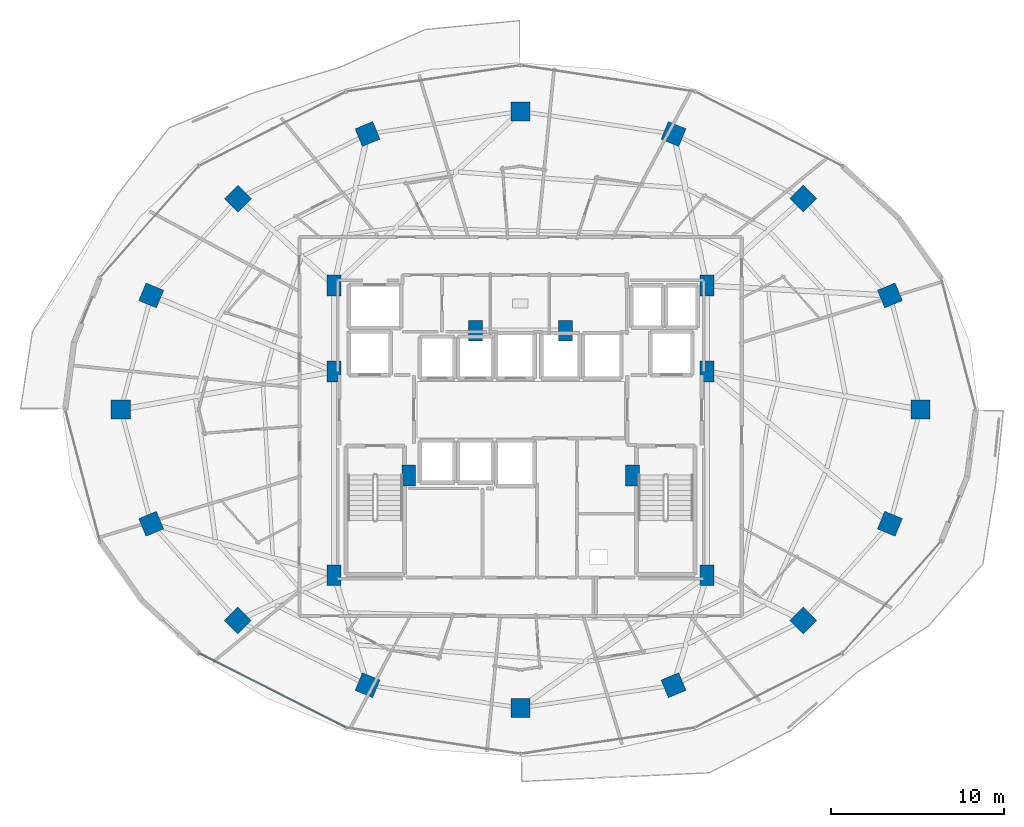
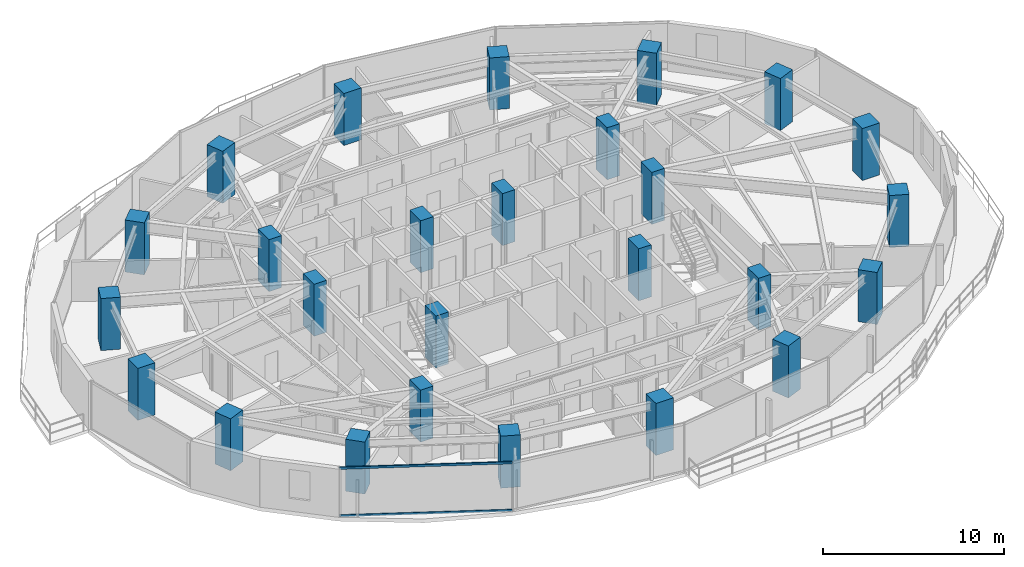
# One storey, part 1 of 29: 26 columns, 2 members, 1 element without a shape of its own.
"""IFC4 building model written with IfcOpenShell, lengths in metres."""

from ifc_helpers import new_model, si_unit, direction, frame, origin, origin_2d, place, context, subcontext, project, spatial, rectangle, hollow_rectangle, extrude, material, material_profile, profile_set, type_object, element, aggregate, save


model = new_model("IFC4")

# Units and contexts
model_context = context("Model", 3, precision=1e-05, world=origin(), true_north=direction((0.0, 1.0)))
body_context = subcontext(model_context, "Body", "Model", "MODEL_VIEW")
ifc_project = project(units=[si_unit("LENGTHUNIT", "METRE"), si_unit("AREAUNIT", "SQUARE_METRE"), si_unit("VOLUMEUNIT", "CUBIC_METRE"), si_unit("PLANEANGLEUNIT", "RADIAN"), si_unit("MASSUNIT", "GRAM", prefix="KILO")], contexts=[model_context])

# Site, building, storey
site_placement = place(None, origin())
site = spatial("IfcSite", under=ifc_project, at=site_placement, CompositionType="ELEMENT")
building_placement = place(site_placement, origin())
building = spatial("IfcBuilding", under=site, at=building_placement, Name="Vorneva Point Tower", CompositionType="ELEMENT")
storey_placement = place(building_placement, frame((0.0, 0.0, 110.300048828125)))
storey = spatial("IfcBuildingStorey", under=building, at=storey_placement, Name="L29", CompositionType="ELEMENT", Elevation=110.300048828125)

# Columns
ifc_material_1 = material(Name="Concrete B60 (C50/60)", Category="concrete")
ifc_material_profile_1 = material_profile(ifc_material_1, rectangle(XDim=1.10009765625, YDim=1.10009765625, at=origin_2d()), Name="RC-COL 1100x1100")
ifc_profile_set_1 = profile_set([ifc_material_profile_1], Name="Concrete B60 (C50/60)")
column_type_1 = type_object("IfcColumnType", Name="COL-RC1100", PredefinedType="COLUMN", material=ifc_profile_set_1)
for number, where, z_axis, x_axis, name in (
    (1, (61.050048828125, 26.0, 0.0), (0.0, 0.0, 1.0), (1.0, 0.0, 0.0), "L29 Perimeter Column P01"),
    (2, (59.29541015625, 32.582275390625, 0.0), (0.0, 0.0, 1.0), (0.923879532511, 0.382683432365, 0.0), "L29 Perimeter Column P02"),
    (3, (54.298828125, 38.162109375, 0.0), (0.0, 0.0, 1.0), (0.707106781187, 0.707106781187, 0.0), "L29 Perimeter Column P03"),
    (4, (46.82080078125, 41.890625, 0.0), (0.0, 0.0, 1.0), (0.382683432365, 0.923879532511, 0.0), "L29 Perimeter Column P04"),
    (5, (38.0, 43.199951171875, 0.0), (0.0, 0.0, 1.0), (0.0, 1.0, 0.0), "L29 Perimeter Column P05"),
    (6, (29.17919921875, 41.890625, 0.0), (0.0, 0.0, 1.0), (-0.382683432365, 0.923879532511, 0.0), "L29 Perimeter Column P06"),
    (7, (21.701171875, 38.162109375, 0.0), (0.0, 0.0, 1.0), (-0.707106781187, 0.707106781187, 0.0), "L29 Perimeter Column P07"),
    (8, (16.70458984375, 32.582275390625, 0.0), (0.0, 0.0, 1.0), (-0.923879532511, 0.382683432365, 0.0), "L29 Perimeter Column P08"),
    (9, (14.949951171875, 26.0, 0.0), (0.0, 0.0, 1.0), (-1.0, 0.0, 0.0), "L29 Perimeter Column P09"),
    (10, (16.70458984375, 19.417724609375, 0.0), (0.0, 0.0, 1.0), (-0.923879532511, -0.382683432365, 0.0), "L29 Perimeter Column P10"),
    (11, (21.701171875, 13.837890625, 0.0), (0.0, 0.0, 1.0), (-0.707106781187, -0.707106781187, 0.0), "L29 Perimeter Column P11"),
    (12, (29.17919921875, 10.109375, 0.0), (0.0, 0.0, 1.0), (-0.382683432365, -0.923879532511, 0.0), "L29 Perimeter Column P12"),
    (13, (38.0, 8.800048828125, 0.0), (0.0, 0.0, 1.0), (0.0, -1.0, 0.0), "L29 Perimeter Column P13"),
    (14, (46.82080078125, 10.109375, 0.0), (0.0, 0.0, 1.0), (0.382683432365, -0.923879532511, 0.0), "L29 Perimeter Column P14"),
    (15, (54.298828125, 13.837890625, 0.0), (0.0, 0.0, 1.0), (0.707106781187, -0.707106781187, 0.0), "L29 Perimeter Column P15"),
    (16, (59.29541015625, 19.417724609375, 0.0), (0.0, 0.0, 1.0), (0.923879532511, -0.382683432365, 0.0), "L29 Perimeter Column P16"),
):
    element("IfcColumn", number, at=place(storey_placement, frame(where, z_axis=z_axis, x_axis=x_axis)), inside=storey, type_object=column_type_1, Name=name, PredefinedType="COLUMN", context=body_context, shape_type="SweptSolid", body=[
        extrude(rectangle(XDim=1.10009765625, YDim=1.10009765625, at=origin_2d()), origin(), (0.0, 0.0, 1.0), 3.5),
    ])
ifc_material_profile_2 = material_profile(ifc_material_1, rectangle(XDim=0.800048828125, YDim=1.199951171875, at=origin_2d()), Name="RC-PIL 1200x800")
ifc_profile_set_2 = profile_set([ifc_material_profile_2], Name="Concrete B60 (C50/60)")
column_type_2 = type_object("IfcColumnType", Name="PIL-RC1200x800", PredefinedType="PILASTER", material=ifc_profile_set_2)
for number, where, z_axis, x_axis, name in (
    (17, (27.25, 16.449951171875, 0.0), (0.0, 0.0, 1.0), (1.0, 0.0, 0.0), "L29 Core Pilaster CP1"),
    (18, (27.25, 28.199951171875, 0.0), (0.0, 0.0, 1.0), (1.0, 0.0, 0.0), "L29 Core Pilaster CP2"),
    (19, (27.25, 33.14990234375, 0.0), (0.0, 0.0, 1.0), (1.0, 0.0, 0.0), "L29 Core Pilaster CP3"),
    (20, (31.550048828125, 22.199951171875, 0.0), (0.0, 0.0, 1.0), (1.0, 0.0, 0.0), "L29 Core Pilaster CP4"),
    (21, (48.75, 33.14990234375, 0.0), (0.0, 0.0, 1.0), (1.0, 0.0, 0.0), "L29 Core Pilaster CP5"),
    (22, (48.75, 28.199951171875, 0.0), (0.0, 0.0, 1.0), (1.0, 0.0, 0.0), "L29 Core Pilaster CP6"),
    (23, (48.75, 16.449951171875, 0.0), (0.0, 0.0, 1.0), (1.0, 0.0, 0.0), "L29 Core Pilaster CP7"),
    (24, (44.449951171875, 22.199951171875, 0.0), (0.0, 0.0, 1.0), (1.0, 0.0, 0.0), "L29 Core Pilaster CP8"),
    (25, (35.39990234375, 30.550048828125, 0.0), (0.0, 0.0, 1.0), (1.0, 0.0, 0.0), "L29 Core Pilaster CP9"),
    (26, (40.60009765625, 30.550048828125, 0.0), (0.0, 0.0, 1.0), (1.0, 0.0, 0.0), "L29 Core Pilaster CP10"),
):
    element("IfcColumn", number, at=place(storey_placement, frame(where, z_axis=z_axis, x_axis=x_axis)), inside=storey, type_object=column_type_2, Name=name, PredefinedType="PILASTER", context=body_context, shape_type="SweptSolid", body=[
        extrude(rectangle(XDim=0.800048828125, YDim=1.199951171875, at=origin_2d()), origin(), (0.0, 0.0, 1.0), 3.5),
    ])

# Curtain wall, members
ifc_material_2 = material(Name="Pale anodised aluminium", Category="aluminium")
curtain_wall_type = type_object("IfcCurtainWallType", Name="CW-HTL-SYS", PredefinedType="NOTDEFINED", material=ifc_material_2)
curtain_wall_placement = place(storey_placement, origin())
curtain_wall = element("IfcCurtainWall", 27, at=curtain_wall_placement, inside=storey, type_object=curtain_wall_type, Name="L29 Unitised Curtain Wall CW-L29-R04", PredefinedType="NOTDEFINED")
ifc_material_profile_3 = material_profile(ifc_material_2, hollow_rectangle(XDim=0.074951171875, YDim=0.14990234375, WallThickness=0.00390625, at=origin_2d()), Name="AL-TRN 150x75x4")
ifc_profile_set_3 = profile_set([ifc_material_profile_3], Name="Pale anodised aluminium")
member_type = type_object("IfcMemberType", Name="CW-TRN-150", PredefinedType="USERDEFINED", material=ifc_profile_set_3)
member_1_placement = place(storey_placement, frame((19.4384765625, 11.9638671875, 0.02001953125), z_axis=(0.892536035732, -0.450976080207, 0.0), x_axis=(0.450976080207, 0.892536035732, 0.0)))
member_1 = element("IfcMember", 28, at=member_1_placement, type_object=member_type, Name="CW-L29-R04 Transom 01.1", ObjectType="TRANSOM", PredefinedType="USERDEFINED", context=body_context, shape_type="SweptSolid", body=[
    extrude(hollow_rectangle(XDim=0.074951171875, YDim=0.14990234375, WallThickness=0.00390625, at=origin_2d()), origin(), (0.0, 0.0, 1.0), 9.54150390625),
])
member_2_placement = place(storey_placement, frame((19.4384765625, 11.9638671875, 3.219970703125), z_axis=(0.892536035732, -0.450976080207, 0.0), x_axis=(0.450976080207, 0.892536035732, 0.0)))
member_2 = element("IfcMember", 29, at=member_2_placement, type_object=member_type, Name="CW-L29-R04 Transom 01.2", ObjectType="TRANSOM", PredefinedType="USERDEFINED", context=body_context, shape_type="SweptSolid", body=[
    extrude(hollow_rectangle(XDim=0.074951171875, YDim=0.14990234375, WallThickness=0.00390625, at=origin_2d()), origin(), (0.0, 0.0, 1.0), 9.54150390625),
])
aggregate(curtain_wall, [member_1, member_2])

save(model, "model.ifc")
